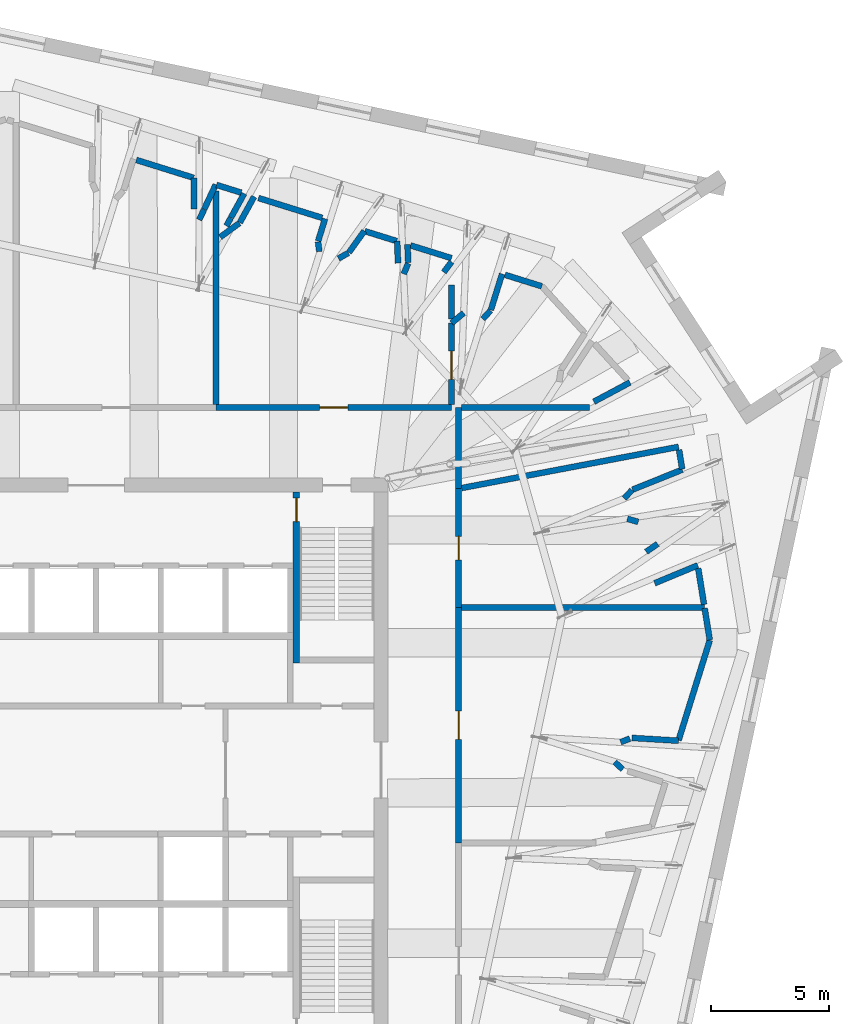
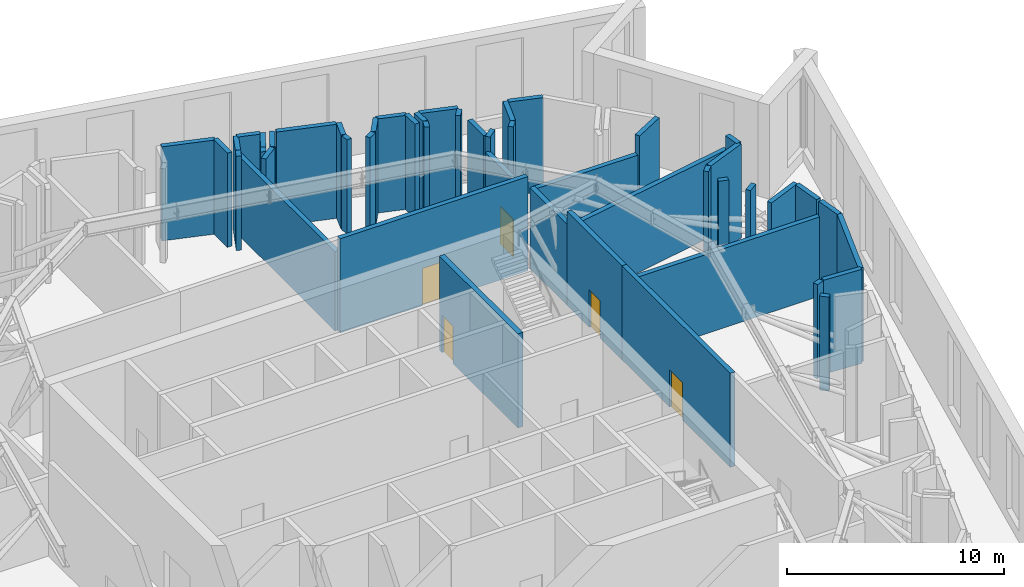
# One storey, part 12 of 19: 48 walls, 5 doors, 5 openings.
"""IFC4 building model written with IfcOpenShell, lengths in metres."""

import ifcopenshell
import ifcopenshell.guid

model = None  # the IFC model being written
_history = None  # IfcOwnerHistory: only IFC2X3 demands one
_inside = {}  # id of a spatial element -> (the spatial element, [elements in it])
_under = {}  # id of a project, library or spatial element -> (it, [spatial elements below it])
_declared = {}  # id of a project -> (the project, [libraries it declares])
_typed = {}  # id of a type object -> (the type object, [elements of that type])
_made_of = {}  # id of a material, layer set ... -> (it, [elements and type objects made of it])


def new_model(schema):
    """Start an empty IFC model of exactly this schema.

    Asked for "IFC4X3", IfcOpenShell would pick the latest addendum, in which some entities
    have other attributes; the version numbers below select the first issue.
    IFC2X3 requires an IfcOwnerHistory on every rooted entity: one is made here for all.
    """
    global model, _history
    if schema == "IFC4X3":
        model = ifcopenshell.file(schema_version=(4, 3, 0, 0))
    else:
        model = ifcopenshell.file(schema=schema)
    _inside.clear()
    _under.clear()
    _declared.clear()
    _typed.clear()
    _made_of.clear()
    _history = None
    if model.schema == "IFC2X3":
        org = make("IfcOrganization", Name="unknown")
        user = make(
            "IfcPersonAndOrganization",
            ThePerson=make("IfcPerson", FamilyName="unknown"),
            TheOrganization=org,
        )
        app = make(
            "IfcApplication",
            ApplicationDeveloper=org,
            Version="unknown",
            ApplicationFullName="unknown",
            ApplicationIdentifier="unknown",
        )
        _history = make(
            "IfcOwnerHistory",
            OwningUser=user,
            OwningApplication=app,
            ChangeAction="ADDED",
            CreationDate=0,
        )
    return model


def make(cls, **values):
    """One entity of the class cls with the attributes given. An attribute that is None is left unset."""
    return model.create_entity(
        cls, **{name: value for name, value in values.items() if value is not None}
    )


def rooted(cls, **values):
    """An entity with a GlobalId (a new one), such as an element, a storey or a relation."""
    return make(cls, GlobalId=ifcopenshell.guid.new(), OwnerHistory=_history, **values)


def si_unit(unit_type, name, prefix=None):
    """IfcSIUnit, for example si_unit("LENGTHUNIT", "METRE", prefix="MILLI")."""
    return make("IfcSIUnit", UnitType=unit_type, Prefix=prefix, Name=name)


def assignment(units):
    """IfcUnitAssignment: the units of a project."""
    return None if units is None else make("IfcUnitAssignment", Units=units)


def point(xyz):
    """IfcCartesianPoint."""
    return None if xyz is None else make("IfcCartesianPoint", Coordinates=xyz)


def direction(xyz):
    """IfcDirection."""
    return None if xyz is None else make("IfcDirection", DirectionRatios=xyz)


def frame(location, z_axis=None, x_axis=None):
    """IfcAxis2Placement3D, a coordinate frame: its origin and axes. An axis left out is left unset."""
    return make(
        "IfcAxis2Placement3D",
        Location=point(location),
        Axis=direction(z_axis),
        RefDirection=direction(x_axis),
    )


def frame_2d(location, x_axis=None):
    """IfcAxis2Placement2D, a coordinate frame in the plane: its origin and x axis."""
    return make(
        "IfcAxis2Placement2D", Location=point(location), RefDirection=direction(x_axis)
    )


def origin():
    """The frame at (0, 0, 0) with its axes left unset."""
    return frame((0.0, 0.0, 0.0))


def place(relative_to, where):
    """IfcLocalPlacement: puts the frame where relative to a parent placement (None: the world)."""
    return make(
        "IfcLocalPlacement", PlacementRelTo=relative_to, RelativePlacement=where
    )


def context(
    kind, dimensions, precision=None, world=None, true_north=None, identifier=None
):
    """IfcGeometricRepresentationContext, for example the 3D "Model" context."""
    return make(
        "IfcGeometricRepresentationContext",
        ContextIdentifier=identifier,
        ContextType=kind,
        CoordinateSpaceDimension=dimensions,
        Precision=precision,
        WorldCoordinateSystem=world,
        TrueNorth=true_north,
    )


def subcontext(parent, identifier, kind, view, scale=None):
    """IfcGeometricRepresentationSubContext, for example "Body" below "Model"."""
    return make(
        "IfcGeometricRepresentationSubContext",
        ContextIdentifier=identifier,
        ContextType=kind,
        ParentContext=parent,
        TargetScale=scale,
        TargetView=view,
    )


def project(units=None, contexts=None):
    """IfcProject with its units and contexts."""
    return rooted(
        "IfcProject",
        Name="project",
        RepresentationContexts=contexts,
        UnitsInContext=assignment(units),
    )


def spatial(cls, under=None, at=None, **own):
    """A site, building, storey or space (cls), placed at a placement, below another one or the project."""
    s = rooted(cls, ObjectPlacement=at, **own)
    if under is not None:
        _under.setdefault(under.id(), (under, []))[1].append(s)
    return s


def profile(cls, at=None, kind="AREA", **sizes):
    """A parametric profile (cls). Its sizes go by their IFC names, for example OverallWidth=200.0."""
    return make(cls, ProfileType=kind, Position=at, **sizes)


def rectangle(**sizes):
    """IfcRectangleProfileDef."""
    return profile("IfcRectangleProfileDef", **sizes)


def extrude(swept, where, along, depth):
    """IfcExtrudedAreaSolid: the profile swept, set in the frame where, extruded along a direction by depth."""
    return make(
        "IfcExtrudedAreaSolid",
        SweptArea=swept,
        Position=where,
        ExtrudedDirection=direction(along),
        Depth=depth,
    )


def shape(context_of_items, identifier, shape_type, items):
    """IfcShapeRepresentation: the items that make up one representation, for example the "Body"."""
    return make(
        "IfcShapeRepresentation",
        ContextOfItems=context_of_items,
        RepresentationIdentifier=identifier,
        RepresentationType=shape_type,
        Items=items,
    )


def material(Name=None, Category=None):
    """IfcMaterial."""
    return make("IfcMaterial", Name=Name, Category=Category)


def layer(
    of_material, thickness, ventilated=None, Name=None, Category=None, Priority=None
):
    """IfcMaterialLayer: one layer of a wall or slab, of a material (None: an air gap)."""
    return make(
        "IfcMaterialLayer",
        Material=of_material,
        LayerThickness=thickness,
        IsVentilated=ventilated,
        Name=Name,
        Category=Category,
        Priority=Priority,
    )


def layer_set(layers, Name=None):
    """IfcMaterialLayerSet."""
    return make("IfcMaterialLayerSet", MaterialLayers=layers, LayerSetName=Name)


def made_of(thing, what):
    """Note that an element or type object is made of a material, layer set ...; save() writes the relation."""
    if what is not None:
        _made_of.setdefault(what.id(), (what, []))[1].append(thing)
    return thing


def type_object(cls, material=None, **own):
    """A type object (cls), such as IfcWallType, which elements share."""
    return made_of(rooted(cls, **own), material)


def element(
    cls,
    number,
    at=None,
    inside=None,
    cuts=None,
    type_object=None,
    material=None,
    context=None,
    identifier="Body",
    shape_type=None,
    held_by="IfcProductDefinitionShape",
    body=None,
    shapes=None,
    **own,
):
    """One element of the class cls, such as IfcWall. Its Tag is "e" and its number.

    at: its placement. inside: the storey or other place that contains it. cuts: it is an
    opening in that element (IfcRelVoidsElement). A single representation is given by context,
    identifier, shape_type and body (its items); several are given by shapes. held_by: the class
    of the entity that holds the representations. save() writes the other relations.
    """
    e = rooted(cls, Tag="e%d" % number, ObjectPlacement=at, **own)
    if body is not None:
        shapes = [shape(context, identifier, shape_type, body)]
    if shapes is not None:
        e.Representation = make(held_by, Representations=shapes)
    if inside is not None:
        _inside.setdefault(inside.id(), (inside, []))[1].append(e)
    if cuts is not None:
        rooted(
            "IfcRelVoidsElement", RelatingBuildingElement=cuts, RelatedOpeningElement=e
        )
    if type_object is not None:
        _typed.setdefault(type_object.id(), (type_object, []))[1].append(e)
    return made_of(e, material)


def fill(opening, filler):
    """IfcRelFillsElement: the door or window that sits in an opening."""
    return rooted(
        "IfcRelFillsElement",
        RelatingOpeningElement=opening,
        RelatedBuildingElement=filler,
    )


def aggregate(whole, parts):
    """IfcRelAggregates: a whole, such as a stair, and the parts it consists of."""
    return rooted("IfcRelAggregates", RelatingObject=whole, RelatedObjects=parts)


def save(model, path):
    """Write the relations noted so far, then the file.

    IfcRelAggregates (storeys below a building ...), IfcRelContainedInSpatialStructure (elements
    in a storey), IfcRelDefinesByType, IfcRelAssociatesMaterial and IfcRelDeclares: one each for
    every whole, place, type object, material and project.
    """
    for whole, parts in _under.values():
        aggregate(whole, parts)
    for where, things in _inside.values():
        rooted(
            "IfcRelContainedInSpatialStructure",
            RelatedElements=things,
            RelatingStructure=where,
        )
    for kind, things in _typed.values():
        rooted("IfcRelDefinesByType", RelatedObjects=things, RelatingType=kind)
    for what, things in _made_of.values():
        rooted("IfcRelAssociatesMaterial", RelatedObjects=things, RelatingMaterial=what)
    for by, libraries in _declared.values():
        rooted("IfcRelDeclares", RelatingContext=by, RelatedDefinitions=libraries)
    model.write(path)


model = new_model("IFC4")

# Units and contexts
model_context = context("Model", 3, precision=1e-05, world=origin(), true_north=direction((0.0, 1.0)))
body_context = subcontext(model_context, "Body", "Model", "MODEL_VIEW")
ifc_project = project(units=[si_unit("LENGTHUNIT", "METRE"), si_unit("AREAUNIT", "SQUARE_METRE"), si_unit("VOLUMEUNIT", "CUBIC_METRE"), si_unit("PLANEANGLEUNIT", "RADIAN"), si_unit("MASSUNIT", "GRAM", prefix="KILO")], contexts=[model_context])

# Site, building, storey
site_placement = place(None, origin())
site = spatial("IfcSite", under=ifc_project, at=site_placement, CompositionType="ELEMENT")
building_placement = place(site_placement, origin())
building = spatial("IfcBuilding", under=site, at=building_placement, Name="Dilmun Exchange Tower", CompositionType="ELEMENT")
storey_placement = place(building_placement, frame((0.0, 0.0, 344.5)))
storey = spatial("IfcBuildingStorey", under=building, at=storey_placement, Name="L82", CompositionType="ELEMENT", Elevation=344.5)

# Wall, opening, door
ifc_material_1 = material(Name="Concrete C32/40", Category="concrete")
ifc_layer_1 = layer(ifc_material_1, 0.25)
ifc_layer_set_1 = layer_set([ifc_layer_1], Name="Concrete C32/40")
wall_type_1 = type_object("IfcWallType", Name="Plant room wall 250", PredefinedType="PARTITIONING", material=ifc_layer_set_1)
wall_1_placement = place(storey_placement, frame((15.39990234375, -3.094970703125, 0.0), z_axis=(0.0, 0.0, 1.0), x_axis=(0.0, 1.0, 0.0)))
wall_1 = element("IfcWall", 1, at=wall_1_placement, inside=storey, type_object=wall_type_1, Name="L82 plant room wall 88", PredefinedType="PARTITIONING", context=body_context, shape_type="SweptSolid", body=[
    extrude(rectangle(XDim=9.994873046875, YDim=0.25, at=frame_2d((4.99755859375, 0.0))), origin(), (0.0, 0.0, 1.0), 5.300048828125),
])
opening_1_placement = place(wall_1_placement, frame((4.39501953125, 0.0, 0.0)))
opening_1 = element("IfcOpeningElement", 2, at=opening_1_placement, cuts=wall_1, Name="Opening PD2", PredefinedType="OPENING", context=body_context, shape_type="SweptSolid", body=[
    extrude(rectangle(XDim=1.199951171875, YDim=2.10009765625, at=frame_2d((0.60009765625, 1.050048828125))), frame((0.0, 0.135009765625, 0.0), z_axis=(0.0, -1.0, 0.0), x_axis=(1.0, 0.0, 0.0)), (0.0, 0.0, 1.0), 0.27001953125),
])
ifc_material_2 = material(Name="Fire-rated steel door set", Category="steel")
door_type_1 = type_object("IfcDoorType", Name="Plant room door 1200x2100", OperationType="SINGLE_SWING_LEFT", PredefinedType="DOOR", material=ifc_material_2)
door_1_placement = place(opening_1_placement, origin())
door_1 = element("IfcDoor", 3, at=door_1_placement, inside=storey, type_object=door_type_1, Name="L82 door Plant control room", OperationType="SINGLE_SWING_RIGHT", OverallHeight=2.10009765625, OverallWidth=1.199951171875, PredefinedType="DOOR", context=body_context, shape_type="SweptSolid", body=[
    extrude(rectangle(XDim=1.199951171875, YDim=2.10009765625, at=frame_2d((0.60009765625, 1.050048828125))), frame((0.0, 0.02490234375, 0.0), z_axis=(0.0, -1.0, 0.0), x_axis=(1.0, 0.0, 0.0)), (0.0, 0.0, 1.0), 0.050048828125),
])
fill(opening_1, door_1)

# Walls
wall_2_placement = place(storey_placement, frame((22.03369140625, 0.335693359375, 0.0), z_axis=(0.0, 0.0, 1.0), x_axis=(0.739480209933, -0.673178296678, 0.0)))
element("IfcWall", 4, at=wall_2_placement, inside=storey, type_object=wall_type_1, Name="L82 plant room wall 98", PredefinedType="PARTITIONING", context=body_context, shape_type="SweptSolid", body=[
    extrude(rectangle(XDim=0.45654296875, YDim=0.25, at=frame_2d((0.228271484375, 0.0))), origin(), (0.0, 0.0, 1.0), 5.300048828125),
])
wall_3_placement = place(storey_placement, frame((22.7626953125, 1.36279296875, 0.0), z_axis=(0.0, 0.0, 1.0), x_axis=(0.998159010361, -0.060651381141, 0.0)))
element("IfcWall", 5, at=wall_3_placement, inside=storey, type_object=wall_type_1, Name="L82 plant room wall 100", PredefinedType="PARTITIONING", context=body_context, shape_type="SweptSolid", body=[
    extrude(rectangle(XDim=1.98046875, YDim=0.25, at=frame_2d((0.990234375, 0.0))), origin(), (0.0, 0.0, 1.0), 5.300048828125),
])
wall_4_placement = place(storey_placement, frame((22.28369140625, 1.180908203125, 0.0), z_axis=(0.0, 0.0, 1.0), x_axis=(0.930306402857, 0.366783310421, 0.0)))
element("IfcWall", 6, at=wall_4_placement, inside=storey, type_object=wall_type_1, Name="L82 plant room wall 101", PredefinedType="PARTITIONING", context=body_context, shape_type="SweptSolid", body=[
    extrude(rectangle(XDim=0.420654296875, YDim=0.25, at=frame_2d((0.21044921875, 0.0))), origin(), (0.0, 0.0, 1.0), 5.300048828125),
])
wall_5_placement = place(storey_placement, frame((24.74560546875, 1.2626953125, 0.0), z_axis=(0.0, 0.0, 1.0), x_axis=(0.297504056883, 0.954720553952, 0.0)))
element("IfcWall", 7, at=wall_5_placement, inside=storey, type_object=wall_type_1, Name="L82 plant room wall 107", PredefinedType="PARTITIONING", context=body_context, shape_type="SweptSolid", body=[
    extrude(rectangle(XDim=4.454345703125, YDim=0.25, at=frame_2d((2.22705078125, 0.0))), origin(), (0.0, 0.0, 1.0), 5.300048828125),
])

# Wall, opening, door
wall_6_placement = place(storey_placement, frame((15.39990234375, 6.905029296875, 0.0), z_axis=(0.0, 0.0, 1.0), x_axis=(0.0, 1.0, 0.0)))
wall_6 = element("IfcWall", 8, at=wall_6_placement, inside=storey, type_object=wall_type_1, Name="L82 plant room wall 110", PredefinedType="PARTITIONING", context=body_context, shape_type="SweptSolid", body=[
    extrude(rectangle(XDim=5.046875, YDim=0.25, at=frame_2d((2.5234375, 0.0))), origin(), (0.0, 0.0, 1.0), 5.300048828125),
])
opening_2_placement = place(wall_6_placement, frame((2.021240234375, 0.0, 0.0)))
opening_2 = element("IfcOpeningElement", 9, at=opening_2_placement, cuts=wall_6, Name="Opening PD1", PredefinedType="OPENING", context=body_context, shape_type="SweptSolid", body=[
    extrude(rectangle(XDim=1.0, YDim=2.10009765625, at=frame_2d((0.5, 1.050048828125))), frame((0.0, 0.135009765625, 0.0), z_axis=(0.0, -1.0, 0.0), x_axis=(1.0, 0.0, 0.0)), (0.0, 0.0, 1.0), 0.27001953125),
])
door_type_2 = type_object("IfcDoorType", Name="Plant room door 1000x2100", OperationType="SINGLE_SWING_LEFT", PredefinedType="DOOR", material=ifc_material_2)
door_2_placement = place(opening_2_placement, origin())
door_2 = element("IfcDoor", 10, at=door_2_placement, inside=storey, type_object=door_type_2, Name="L82 door Comms plant room", OperationType="SINGLE_SWING_LEFT", OverallHeight=2.10009765625, OverallWidth=1.0, PredefinedType="DOOR", context=body_context, shape_type="SweptSolid", body=[
    extrude(rectangle(XDim=1.0, YDim=2.10009765625, at=frame_2d((0.5, 1.050048828125))), frame((0.0, 0.02490234375, 0.0), z_axis=(0.0, -1.0, 0.0), x_axis=(1.0, 0.0, 0.0)), (0.0, 0.0, 1.0), 0.050048828125),
])
fill(opening_2, door_2)

# Walls
wall_7_placement = place(storey_placement, frame((15.530029296875, 6.89990234375, 0.0), z_axis=(0.0, 0.0, 1.0), x_axis=(1.0, 0.0, 0.0)))
element("IfcWall", 11, at=wall_7_placement, inside=storey, type_object=wall_type_1, Name="L82 plant room wall 111", PredefinedType="PARTITIONING", context=body_context, shape_type="SweptSolid", body=[
    extrude(rectangle(XDim=10.3173828125, YDim=0.25, at=frame_2d((5.15869140625, 0.0))), origin(), (0.0, 0.0, 1.0), 4.466064453125),
])
wall_8_placement = place(storey_placement, frame((25.852294921875, 6.868896484375, 0.0), z_axis=(0.0, 0.0, 1.0), x_axis=(0.159468506088, -0.987203016388, 0.0)))
element("IfcWall", 12, at=wall_8_placement, inside=storey, type_object=wall_type_1, Name="L82 plant room wall 112", PredefinedType="PARTITIONING", context=body_context, shape_type="SweptSolid", body=[
    extrude(rectangle(XDim=1.36572265625, YDim=0.25, at=frame_2d((0.682861328125, 0.0))), origin(), (0.0, 0.0, 1.0), 5.300048828125),
])
wall_9_placement = place(storey_placement, frame((23.7294921875, 7.93310546875, 0.0), z_axis=(0.0, 0.0, 1.0), x_axis=(0.923226391298, 0.384256464371, 0.0)))
element("IfcWall", 13, at=wall_9_placement, inside=storey, type_object=wall_type_1, Name="L82 plant room wall 114", PredefinedType="PARTITIONING", context=body_context, shape_type="SweptSolid", body=[
    extrude(rectangle(XDim=1.98046875, YDim=0.25, at=frame_2d((0.990234375, 0.0))), origin(), (0.0, 0.0, 1.0), 5.300048828125),
])
wall_10_placement = place(storey_placement, frame((25.5791015625, 8.562255859375, 0.0), z_axis=(0.0, 0.0, 1.0), x_axis=(0.159346186049, -0.987222767663, 0.0)))
element("IfcWall", 14, at=wall_10_placement, inside=storey, type_object=wall_type_1, Name="L82 plant room wall 115", PredefinedType="PARTITIONING", context=body_context, shape_type="SweptSolid", body=[
    extrude(rectangle(XDim=1.552001953125, YDim=0.25, at=frame_2d((0.77587890625, 0.0))), origin(), (0.0, 0.0, 1.0), 5.300048828125),
])
wall_11_placement = place(storey_placement, frame((23.367431640625, 9.26806640625, 0.0), z_axis=(0.0, 0.0, 1.0), x_axis=(0.822355310526, 0.568974290499, 0.0)))
element("IfcWall", 15, at=wall_11_placement, inside=storey, type_object=wall_type_1, Name="L82 plant room wall 117", PredefinedType="PARTITIONING", context=body_context, shape_type="SweptSolid", body=[
    extrude(rectangle(XDim=0.592529296875, YDim=0.25, at=frame_2d((0.29638671875, 0.0))), origin(), (0.0, 0.0, 1.0), 5.300048828125),
])
wall_12_placement = place(storey_placement, frame((22.5673828125, 10.6708984375, 0.0), z_axis=(0.0, 0.0, 1.0), x_axis=(0.961998655506, -0.273054182911, 0.0)))
element("IfcWall", 16, at=wall_12_placement, inside=storey, type_object=wall_type_1, Name="L82 plant room wall 120", PredefinedType="PARTITIONING", context=body_context, shape_type="SweptSolid", body=[
    extrude(rectangle(XDim=0.483642578125, YDim=0.25, at=frame_2d((0.24169921875, 0.0))), origin(), (0.0, 0.0, 1.0), 5.300048828125),
])
wall_13_placement = place(storey_placement, frame((22.43701171875, 11.539306640625, 0.0), z_axis=(0.0, 0.0, 1.0), x_axis=(0.683252613889, 0.730182077029, 0.0)))
element("IfcWall", 17, at=wall_13_placement, inside=storey, type_object=wall_type_1, Name="L82 plant room wall 121", PredefinedType="PARTITIONING", context=body_context, shape_type="SweptSolid", body=[
    extrude(rectangle(XDim=0.48388671875, YDim=0.25, at=frame_2d((0.241943359375, 0.0))), origin(), (0.0, 0.0, 1.0), 5.300048828125),
])
wall_14_placement = place(storey_placement, frame((15.39990234375, 11.95703125, 0.0), z_axis=(0.0, 0.0, 1.0), x_axis=(0.0, 1.0, 0.0)))
element("IfcWall", 18, at=wall_14_placement, inside=storey, type_object=wall_type_1, Name="L82 plant room wall 122", PredefinedType="PARTITIONING", context=body_context, shape_type="SweptSolid", body=[
    extrude(rectangle(XDim=3.44287109375, YDim=0.25, at=frame_2d((1.721435546875, 0.0))), origin(), (0.0, 0.0, 1.0), 4.56005859375),
])
wall_15_placement = place(storey_placement, frame((15.530029296875, 11.976806640625, 0.0), z_axis=(0.0, 0.0, 1.0), x_axis=(0.982431849139, 0.186621707732, 0.0)))
element("IfcWall", 19, at=wall_15_placement, inside=storey, type_object=wall_type_1, Name="L82 plant room wall 123", PredefinedType="PARTITIONING", context=body_context, shape_type="SweptSolid", body=[
    extrude(rectangle(XDim=9.3798828125, YDim=0.25, at=frame_2d((4.68994140625, 0.0))), origin(), (0.0, 0.0, 1.0), 4.466064453125),
])
wall_16_placement = place(storey_placement, frame((22.79150390625, 11.9091796875, 0.0), z_axis=(0.0, 0.0, 1.0), x_axis=(0.927742008142, 0.373222140728, 0.0)))
element("IfcWall", 20, at=wall_16_placement, inside=storey, type_object=wall_type_1, Name="L82 plant room wall 124", PredefinedType="PARTITIONING", context=body_context, shape_type="SweptSolid", body=[
    extrude(rectangle(XDim=2.2744140625, YDim=0.25, at=frame_2d((1.13720703125, 0.0))), origin(), (0.0, 0.0, 1.0), 5.300048828125),
])
wall_17_placement = place(storey_placement, frame((24.765869140625, 13.59912109375, 0.0), z_axis=(0.0, 0.0, 1.0), x_axis=(0.159528555864, -0.987193314333, 0.0)))
element("IfcWall", 21, at=wall_17_placement, inside=storey, type_object=wall_type_1, Name="L82 plant room wall 125", PredefinedType="PARTITIONING", context=body_context, shape_type="SweptSolid", body=[
    extrude(rectangle(XDim=0.82958984375, YDim=0.25, at=frame_2d((0.414794921875, 0.0))), origin(), (0.0, 0.0, 1.0), 5.300048828125),
])

# Wall, opening, door
wall_18_placement = place(storey_placement, frame((5.10498046875, 15.39990234375, 0.0), z_axis=(0.0, 0.0, 1.0), x_axis=(1.0, 0.0, 0.0)))
wall_18 = element("IfcWall", 22, at=wall_18_placement, inside=storey, type_object=wall_type_1, Name="L82 plant room wall 134", PredefinedType="PARTITIONING", context=body_context, shape_type="SweptSolid", body=[
    extrude(rectangle(XDim=9.9951171875, YDim=0.25, at=frame_2d((4.99755859375, 0.0))), origin(), (0.0, 0.0, 1.0), 5.300048828125),
])
opening_3_placement = place(wall_18_placement, frame((4.39501953125, 0.0, 0.0)))
opening_3 = element("IfcOpeningElement", 23, at=opening_3_placement, cuts=wall_18, Name="Opening PD2", PredefinedType="OPENING", context=body_context, shape_type="SweptSolid", body=[
    extrude(rectangle(XDim=1.199951171875, YDim=2.10009765625, at=frame_2d((0.60009765625, 1.050048828125))), frame((0.0, 0.135009765625, 0.0), z_axis=(0.0, -1.0, 0.0), x_axis=(1.0, 0.0, 0.0)), (0.0, 0.0, 1.0), 0.27001953125),
])
door_3_placement = place(opening_3_placement, origin())
door_3 = element("IfcDoor", 24, at=door_3_placement, inside=storey, type_object=door_type_1, Name="L82 door Refuge area", OperationType="SINGLE_SWING_RIGHT", OverallHeight=2.10009765625, OverallWidth=1.199951171875, PredefinedType="DOOR", context=body_context, shape_type="SweptSolid", body=[
    extrude(rectangle(XDim=1.199951171875, YDim=2.10009765625, at=frame_2d((0.60009765625, 1.050048828125))), frame((0.0, 0.02490234375, 0.0), z_axis=(0.0, -1.0, 0.0), x_axis=(1.0, 0.0, 0.0)), (0.0, 0.0, 1.0), 0.050048828125),
])
fill(opening_3, door_3)

wall_19_placement = place(storey_placement, frame((15.10009765625, 15.530029296875, 0.0), z_axis=(0.0, 0.0, 1.0), x_axis=(0.0, 1.0, 0.0)))
wall_19 = element("IfcWall", 25, at=wall_19_placement, inside=storey, type_object=wall_type_1, Name="L82 plant room wall 135", PredefinedType="PARTITIONING", context=body_context, shape_type="SweptSolid", body=[
    extrude(rectangle(XDim=3.451904296875, YDim=0.25, at=frame_2d((1.72607421875, 0.0))), origin(), (0.0, 0.0, 1.0), 4.466064453125),
])
opening_4_placement = place(wall_19_placement, frame((1.06640625, 0.0, 0.0)))
opening_4 = element("IfcOpeningElement", 26, at=opening_4_placement, cuts=wall_19, Name="Opening PD2", PredefinedType="OPENING", context=body_context, shape_type="SweptSolid", body=[
    extrude(rectangle(XDim=1.199951171875, YDim=2.10009765625, at=frame_2d((0.60009765625, 1.050048828125))), frame((0.0, 0.135009765625, 0.0), z_axis=(0.0, -1.0, 0.0), x_axis=(1.0, 0.0, 0.0)), (0.0, 0.0, 1.0), 0.27001953125),
])
door_4_placement = place(opening_4_placement, origin())
door_4 = element("IfcDoor", 27, at=door_4_placement, inside=storey, type_object=door_type_1, Name="L82 door Battery plant room", OperationType="SINGLE_SWING_LEFT", OverallHeight=2.10009765625, OverallWidth=1.199951171875, PredefinedType="DOOR", context=body_context, shape_type="SweptSolid", body=[
    extrude(rectangle(XDim=1.199951171875, YDim=2.10009765625, at=frame_2d((0.60009765625, 1.050048828125))), frame((0.0, 0.02490234375, 0.0), z_axis=(0.0, -1.0, 0.0), x_axis=(1.0, 0.0, 0.0)), (0.0, 0.0, 1.0), 0.050048828125),
])
fill(opening_4, door_4)

# Walls
wall_20_placement = place(storey_placement, frame((15.530029296875, 15.39990234375, 0.0), z_axis=(0.0, 0.0, 1.0), x_axis=(1.0, 0.0, 0.0)))
element("IfcWall", 28, at=wall_20_placement, inside=storey, type_object=wall_type_1, Name="L82 plant room wall 136", PredefinedType="PARTITIONING", context=body_context, shape_type="SweptSolid", body=[
    extrude(rectangle(XDim=5.425537109375, YDim=0.25, at=frame_2d((2.712890625, 0.0))), origin(), (0.0, 0.0, 1.0), 4.466064453125),
])
wall_21_placement = place(storey_placement, frame((21.14501953125, 15.64208984375, 0.0), z_axis=(0.0, 0.0, 1.0), x_axis=(0.8818361721, 0.471555898676, 0.0)))
element("IfcWall", 29, at=wall_21_placement, inside=storey, type_object=wall_type_1, Name="L82 plant room wall 137", PredefinedType="PARTITIONING", context=body_context, shape_type="SweptSolid", body=[
    extrude(rectangle(XDim=1.7412109375, YDim=0.25, at=frame_2d((0.87060546875, 0.0))), origin(), (0.0, 0.0, 1.0), 5.300048828125),
])
wall_22_placement = place(storey_placement, frame((15.10595703125, 18.98681640625, 0.0), z_axis=(0.0, 0.0, 1.0), x_axis=(0.767050686125, 0.641586506182, 0.0)))
element("IfcWall", 30, at=wall_22_placement, inside=storey, type_object=wall_type_1, Name="L82 plant room wall 142", PredefinedType="PARTITIONING", context=body_context, shape_type="SweptSolid", body=[
    extrude(rectangle(XDim=0.66748046875, YDim=0.25, at=frame_2d((0.333740234375, 0.0))), origin(), (0.0, 0.0, 1.0), 5.300048828125),
])
wall_23_placement = place(storey_placement, frame((16.4306640625, 19.158203125, 0.0), z_axis=(0.0, 0.0, 1.0), x_axis=(0.672999412764, 0.739643015528, 0.0)))
element("IfcWall", 31, at=wall_23_placement, inside=storey, type_object=wall_type_1, Name="L82 plant room wall 143", PredefinedType="PARTITIONING", context=body_context, shape_type="SweptSolid", body=[
    extrude(rectangle(XDim=0.483642578125, YDim=0.25, at=frame_2d((0.24169921875, 0.0))), origin(), (0.0, 0.0, 1.0), 5.300048828125),
])
wall_24_placement = place(storey_placement, frame((16.770751953125, 19.541259765625, 0.0), z_axis=(0.0, 0.0, 1.0), x_axis=(0.297538309399, 0.954709879723, 0.0)))
element("IfcWall", 32, at=wall_24_placement, inside=storey, type_object=wall_type_1, Name="L82 plant room wall 144", PredefinedType="PARTITIONING", context=body_context, shape_type="SweptSolid", body=[
    extrude(rectangle(XDim=1.604248046875, YDim=0.25, at=frame_2d((0.80224609375, 0.0))), origin(), (0.0, 0.0, 1.0), 5.300048828125),
])
wall_25_placement = place(storey_placement, frame((15.09912109375, 20.601806640625, 0.0), z_axis=(0.0, 0.0, 1.0), x_axis=(0.000168265184, -0.999999985843, 0.0)))
element("IfcWall", 33, at=wall_25_placement, inside=storey, type_object=wall_type_1, Name="L82 plant room wall 146", PredefinedType="PARTITIONING", context=body_context, shape_type="SweptSolid", body=[
    extrude(rectangle(XDim=1.450927734375, YDim=0.25, at=frame_2d((0.7255859375, 0.0))), origin(), (0.0, 0.0, 1.0), 5.300048828125),
])
wall_26_placement = place(storey_placement, frame((13.0712890625, 21.0732421875, 0.0), z_axis=(0.0, 0.0, 1.0), x_axis=(0.383540112576, 0.92352421844, 0.0)))
element("IfcWall", 34, at=wall_26_placement, inside=storey, type_object=wall_type_1, Name="L82 plant room wall 147", PredefinedType="PARTITIONING", context=body_context, shape_type="SweptSolid", body=[
    extrude(rectangle(XDim=0.48388671875, YDim=0.25, at=frame_2d((0.241943359375, 0.0))), origin(), (0.0, 0.0, 1.0), 5.300048828125),
])
wall_27_placement = place(storey_placement, frame((17.3720703125, 21.0341796875, 0.0), z_axis=(0.0, 0.0, 1.0), x_axis=(0.954705286895, -0.297553045986, 0.0)))
element("IfcWall", 35, at=wall_27_placement, inside=storey, type_object=wall_type_1, Name="L82 plant room wall 148", PredefinedType="PARTITIONING", context=body_context, shape_type="SweptSolid", body=[
    extrude(rectangle(XDim=1.636962890625, YDim=0.25, at=frame_2d((0.818359375, 0.0))), origin(), (0.0, 0.0, 1.0), 5.300048828125),
])
wall_28_placement = place(storey_placement, frame((13.228515625, 22.325439453125, 0.0), z_axis=(0.0, 0.0, 1.0), x_axis=(0.043028330021, -0.999073852533, 0.0)))
element("IfcWall", 36, at=wall_28_placement, inside=storey, type_object=wall_type_1, Name="L82 plant room wall 150", PredefinedType="PARTITIONING", context=body_context, shape_type="SweptSolid", body=[
    extrude(rectangle(XDim=0.77734375, YDim=0.25, at=frame_2d((0.388671875, 0.0))), origin(), (0.0, 0.0, 1.0), 5.300048828125),
])
wall_29_placement = place(storey_placement, frame((14.77001953125, 21.1474609375, 0.0), z_axis=(0.0, 0.0, 1.0), x_axis=(0.602921405865, 0.797800588086, 0.0)))
element("IfcWall", 37, at=wall_29_placement, inside=storey, type_object=wall_type_1, Name="L82 plant room wall 151", PredefinedType="PARTITIONING", context=body_context, shape_type="SweptSolid", body=[
    extrude(rectangle(XDim=0.54736328125, YDim=0.25, at=frame_2d((0.273681640625, 0.0))), origin(), (0.0, 0.0, 1.0), 5.300048828125),
])
wall_30_placement = place(storey_placement, frame((10.2978515625, 21.727783203125, 0.0), z_axis=(0.0, 0.0, 1.0), x_axis=(0.871669877162, 0.490093486233, 0.0)))
element("IfcWall", 38, at=wall_30_placement, inside=storey, type_object=wall_type_1, Name="L82 plant room wall 152", PredefinedType="PARTITIONING", context=body_context, shape_type="SweptSolid", body=[
    extrude(rectangle(XDim=0.483642578125, YDim=0.25, at=frame_2d((0.24169921875, 0.0))), origin(), (0.0, 0.0, 1.0), 5.300048828125),
])
wall_31_placement = place(storey_placement, frame((10.7412109375, 21.984375, 0.0), z_axis=(0.0, 0.0, 1.0), x_axis=(0.583169992469, 0.812350146109, 0.0)))
element("IfcWall", 39, at=wall_31_placement, inside=storey, type_object=wall_type_1, Name="L82 plant room wall 153", PredefinedType="PARTITIONING", context=body_context, shape_type="SweptSolid", body=[
    extrude(rectangle(XDim=1.122802734375, YDim=0.25, at=frame_2d((0.5615234375, 0.0))), origin(), (0.0, 0.0, 1.0), 5.300048828125),
])
wall_32_placement = place(storey_placement, frame((13.3603515625, 22.2841796875, 0.0), z_axis=(0.0, 0.0, 1.0), x_axis=(0.954741847681, -0.297435714545, 0.0)))
element("IfcWall", 40, at=wall_32_placement, inside=storey, type_object=wall_type_1, Name="L82 plant room wall 154", PredefinedType="PARTITIONING", context=body_context, shape_type="SweptSolid", body=[
    extrude(rectangle(XDim=1.822265625, YDim=0.25, at=frame_2d((0.9111328125, 0.0))), origin(), (0.0, 0.0, 1.0), 5.300048828125),
])
wall_33_placement = place(storey_placement, frame((9.42919921875, 22.435546875, 0.0), z_axis=(0.0, 0.0, 1.0), x_axis=(0.133964477451, -0.990986134505, 0.0)))
element("IfcWall", 41, at=wall_33_placement, inside=storey, type_object=wall_type_1, Name="L82 plant room wall 155", PredefinedType="PARTITIONING", context=body_context, shape_type="SweptSolid", body=[
    extrude(rectangle(XDim=0.417236328125, YDim=0.25, at=frame_2d((0.20849609375, 0.0))), origin(), (0.0, 0.0, 1.0), 5.300048828125),
])
wall_34_placement = place(storey_placement, frame((12.789306640625, 22.46240234375, 0.0), z_axis=(0.0, 0.0, 1.0), x_axis=(0.042914853918, -0.99907873329, 0.0)))
element("IfcWall", 42, at=wall_34_placement, inside=storey, type_object=wall_type_1, Name="L82 plant room wall 156", PredefinedType="PARTITIONING", context=body_context, shape_type="SweptSolid", body=[
    extrude(rectangle(XDim=0.93310546875, YDim=0.25, at=frame_2d((0.466552734375, 0.0))), origin(), (0.0, 0.0, 1.0), 5.300048828125),
])
wall_35_placement = place(storey_placement, frame((5.272705078125, 22.635498046875, 0.0), z_axis=(0.0, 0.0, 1.0), x_axis=(0.807395552654, 0.590010526647, 0.0)))
element("IfcWall", 43, at=wall_35_placement, inside=storey, type_object=wall_type_1, Name="L82 plant room wall 157", PredefinedType="PARTITIONING", context=body_context, shape_type="SweptSolid", body=[
    extrude(rectangle(XDim=1.009765625, YDim=0.25, at=frame_2d((0.5048828125, 0.0))), origin(), (0.0, 0.0, 1.0), 5.300048828125),
])
wall_36_placement = place(storey_placement, frame((11.4111328125, 22.8916015625, 0.0), z_axis=(0.0, 0.0, 1.0), x_axis=(0.954768403211, -0.297350460281, 0.0)))
element("IfcWall", 44, at=wall_36_placement, inside=storey, type_object=wall_type_1, Name="L82 plant room wall 158", PredefinedType="PARTITIONING", context=body_context, shape_type="SweptSolid", body=[
    extrude(rectangle(XDim=1.4287109375, YDim=0.25, at=frame_2d((0.71435546875, 0.0))), origin(), (0.0, 0.0, 1.0), 5.300048828125),
])
wall_37_placement = place(storey_placement, frame((6.107177734375, 23.253173828125, 0.0), z_axis=(0.0, 0.0, 1.0), x_axis=(0.482477192193, 0.875908533475, 0.0)))
element("IfcWall", 45, at=wall_37_placement, inside=storey, type_object=wall_type_1, Name="L82 plant room wall 159", PredefinedType="PARTITIONING", context=body_context, shape_type="SweptSolid", body=[
    extrude(rectangle(XDim=1.258544921875, YDim=0.25, at=frame_2d((0.62939453125, 0.0))), origin(), (0.0, 0.0, 1.0), 5.300048828125),
])
wall_38_placement = place(storey_placement, frame((4.38037109375, 23.370361328125, 0.0), z_axis=(0.0, 0.0, 1.0), x_axis=(0.425481022657, 0.904967347123, 0.0)))
element("IfcWall", 46, at=wall_38_placement, inside=storey, type_object=wall_type_1, Name="L82 plant room wall 160", PredefinedType="PARTITIONING", context=body_context, shape_type="SweptSolid", body=[
    extrude(rectangle(XDim=0.483642578125, YDim=0.25, at=frame_2d((0.24169921875, 0.0))), origin(), (0.0, 0.0, 1.0), 5.300048828125),
])
wall_39_placement = place(storey_placement, frame((9.431884765625, 22.464599609375, 0.0), z_axis=(0.0, 0.0, 1.0), x_axis=(0.297354376787, 0.954767183457, 0.0)))
element("IfcWall", 47, at=wall_39_placement, inside=storey, type_object=wall_type_1, Name="L82 plant room wall 161", PredefinedType="PARTITIONING", context=body_context, shape_type="SweptSolid", body=[
    extrude(rectangle(XDim=0.996826171875, YDim=0.25, at=frame_2d((0.49853515625, 0.0))), origin(), (0.0, 0.0, 1.0), 5.300048828125),
])
wall_40_placement = place(storey_placement, frame((5.536865234375, 23.115234375, 0.0), z_axis=(0.0, 0.0, 1.0), x_axis=(0.482484378256, 0.875904575133, 0.0)))
element("IfcWall", 48, at=wall_40_placement, inside=storey, type_object=wall_type_1, Name="L82 plant room wall 162", PredefinedType="PARTITIONING", context=body_context, shape_type="SweptSolid", body=[
    extrude(rectangle(XDim=0.381103515625, YDim=0.25, at=frame_2d((0.1904296875, 0.0))), origin(), (0.0, 0.0, 1.0), 5.300048828125),
])
wall_41_placement = place(storey_placement, frame((4.592529296875, 23.82177734375, 0.0), z_axis=(0.0, 0.0, 1.0), x_axis=(0.425541743951, 0.904938795806, 0.0)))
element("IfcWall", 49, at=wall_41_placement, inside=storey, type_object=wall_type_1, Name="L82 plant room wall 164", PredefinedType="PARTITIONING", context=body_context, shape_type="SweptSolid", body=[
    extrude(rectangle(XDim=1.1513671875, YDim=0.25, at=frame_2d((0.57568359375, 0.0))), origin(), (0.0, 0.0, 1.0), 5.300048828125),
])
wall_42_placement = place(storey_placement, frame((6.898681640625, 24.2978515625, 0.0), z_axis=(0.0, 0.0, 1.0), x_axis=(0.954727983521, -0.297480213598, 0.0)))
element("IfcWall", 50, at=wall_42_placement, inside=storey, type_object=wall_type_1, Name="L82 plant room wall 167", PredefinedType="PARTITIONING", context=body_context, shape_type="SweptSolid", body=[
    extrude(rectangle(XDim=2.833740234375, YDim=0.25, at=frame_2d((1.4169921875, 0.0))), origin(), (0.0, 0.0, 1.0), 5.300048828125),
])
wall_43_placement = place(storey_placement, frame((5.727783203125, 23.4619140625, 0.0), z_axis=(0.0, 0.0, 1.0), x_axis=(0.482575357678, 0.875854453754, 0.0)))
element("IfcWall", 51, at=wall_43_placement, inside=storey, type_object=wall_type_1, Name="L82 plant room wall 168", PredefinedType="PARTITIONING", context=body_context, shape_type="SweptSolid", body=[
    extrude(rectangle(XDim=1.170166015625, YDim=0.25, at=frame_2d((0.5849609375, 0.0))), origin(), (0.0, 0.0, 1.0), 5.300048828125),
])
wall_44_placement = place(storey_placement, frame((5.10009765625, 15.530029296875, 0.0), z_axis=(0.0, 0.0, 1.0), x_axis=(0.0, 1.0, 0.0)))
element("IfcWall", 52, at=wall_44_placement, inside=storey, type_object=wall_type_1, Name="L82 plant room wall 170", PredefinedType="PARTITIONING", context=body_context, shape_type="SweptSolid", body=[
    extrude(rectangle(XDim=9.065673828125, YDim=0.25, at=frame_2d((4.53271484375, 0.0))), origin(), (0.0, 0.0, 1.0), 4.466064453125),
])
wall_45_placement = place(storey_placement, frame((5.1171875, 24.85302734375, 0.0), z_axis=(0.0, 0.0, 1.0), x_axis=(0.954744611473, -0.297426842876, 0.0)))
element("IfcWall", 53, at=wall_45_placement, inside=storey, type_object=wall_type_1, Name="L82 plant room wall 171", PredefinedType="PARTITIONING", context=body_context, shape_type="SweptSolid", body=[
    extrude(rectangle(XDim=1.098388671875, YDim=0.25, at=frame_2d((0.54931640625, 0.0))), origin(), (0.0, 0.0, 1.0), 5.300048828125),
])
wall_46_placement = place(storey_placement, frame((4.15966796875, 23.838134765625, 0.0), z_axis=(0.0, 0.0, 1.0), x_axis=(0.003163363406, 0.999994996553, 0.0)))
element("IfcWall", 54, at=wall_46_placement, inside=storey, type_object=wall_type_1, Name="L82 plant room wall 175", PredefinedType="PARTITIONING", context=body_context, shape_type="SweptSolid", body=[
    extrude(rectangle(XDim=1.31201171875, YDim=0.25, at=frame_2d((0.656005859375, 0.0))), origin(), (0.0, 0.0, 1.0), 5.300048828125),
])
wall_47_placement = place(storey_placement, frame((1.710205078125, 25.91455078125, 0.0), z_axis=(0.0, 0.0, 1.0), x_axis=(0.954743372138, -0.297430821131, 0.0)))
element("IfcWall", 55, at=wall_47_placement, inside=storey, type_object=wall_type_1, Name="L82 plant room wall 180", PredefinedType="PARTITIONING", context=body_context, shape_type="SweptSolid", body=[
    extrude(rectangle(XDim=2.552734375, YDim=0.25, at=frame_2d((1.2763671875, 0.0))), origin(), (0.0, 0.0, 1.0), 5.300048828125),
])

# Wall, opening, door
ifc_material_3 = material(Name="Concrete C40/50", Category="concrete")
ifc_layer_2 = layer(ifc_material_3, 0.27490234375)
ifc_layer_set_2 = layer_set([ifc_layer_2], Name="Concrete C40/50")
wall_type_2 = type_object("IfcWallType", Name="Stair wall 275", PredefinedType="SOLIDWALL", material=ifc_layer_set_2)
wall_48_placement = place(storey_placement, frame((8.512451171875, 4.550048828125, 0.0), z_axis=(0.0, 0.0, 1.0), x_axis=(0.0, 1.0, 0.0)))
wall_48 = element("IfcWall", 56, at=wall_48_placement, inside=storey, type_object=wall_type_2, Name="L82 ST1 wall to lift block", PredefinedType="SOLIDWALL", context=body_context, shape_type="SweptSolid", body=[
    extrude(rectangle(XDim=7.25, YDim=0.27490234375, at=frame_2d((3.625, 0.0))), origin(), (0.0, 0.0, 1.0), 5.300048828125),
])
opening_5_placement = place(wall_48_placement, frame((6.0, 0.0, 0.0)))
opening_5 = element("IfcOpeningElement", 57, at=opening_5_placement, cuts=wall_48, Name="Opening CD4", PredefinedType="OPENING", context=body_context, shape_type="SweptSolid", body=[
    extrude(rectangle(XDim=1.0, YDim=2.10009765625, at=frame_2d((0.5, 1.050048828125))), frame((0.0, 0.1474609375, 0.0), z_axis=(0.0, -1.0, 0.0), x_axis=(1.0, 0.0, 0.0)), (0.0, 0.0, 1.0), 0.294921875),
])
door_type_3 = type_object("IfcDoorType", Name="Core room door 1000x2100", OperationType="SINGLE_SWING_LEFT", PredefinedType="DOOR", material=ifc_material_2)
door_5_placement = place(opening_5_placement, origin())
door_5 = element("IfcDoor", 58, at=door_5_placement, inside=storey, type_object=door_type_3, Name="L82 door ST1 from lobby", OperationType="SINGLE_SWING_LEFT", OverallHeight=2.10009765625, OverallWidth=1.0, PredefinedType="DOOR", context=body_context, shape_type="SweptSolid", body=[
    extrude(rectangle(XDim=1.0, YDim=2.10009765625, at=frame_2d((0.5, 1.050048828125))), frame((0.0, 0.02490234375, 0.0), z_axis=(0.0, -1.0, 0.0), x_axis=(1.0, 0.0, 0.0)), (0.0, 0.0, 1.0), 0.050048828125),
])
fill(opening_5, door_5)

save(model, "model.ifc")
